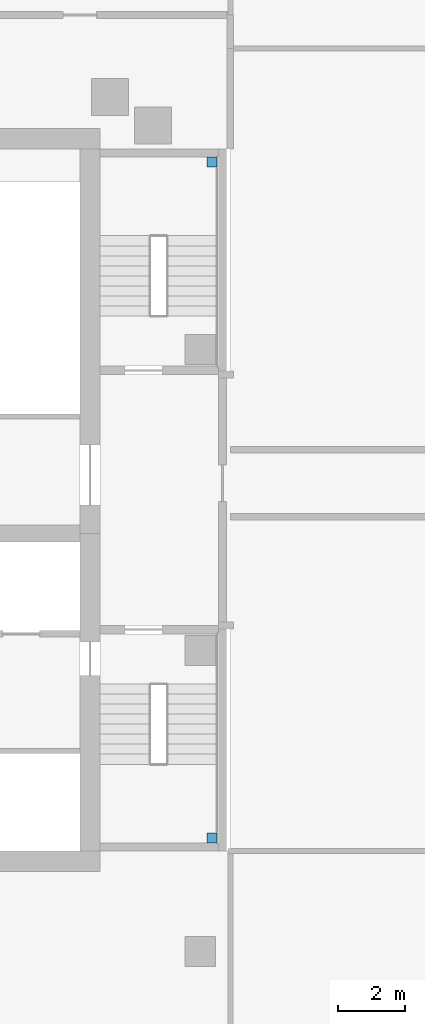
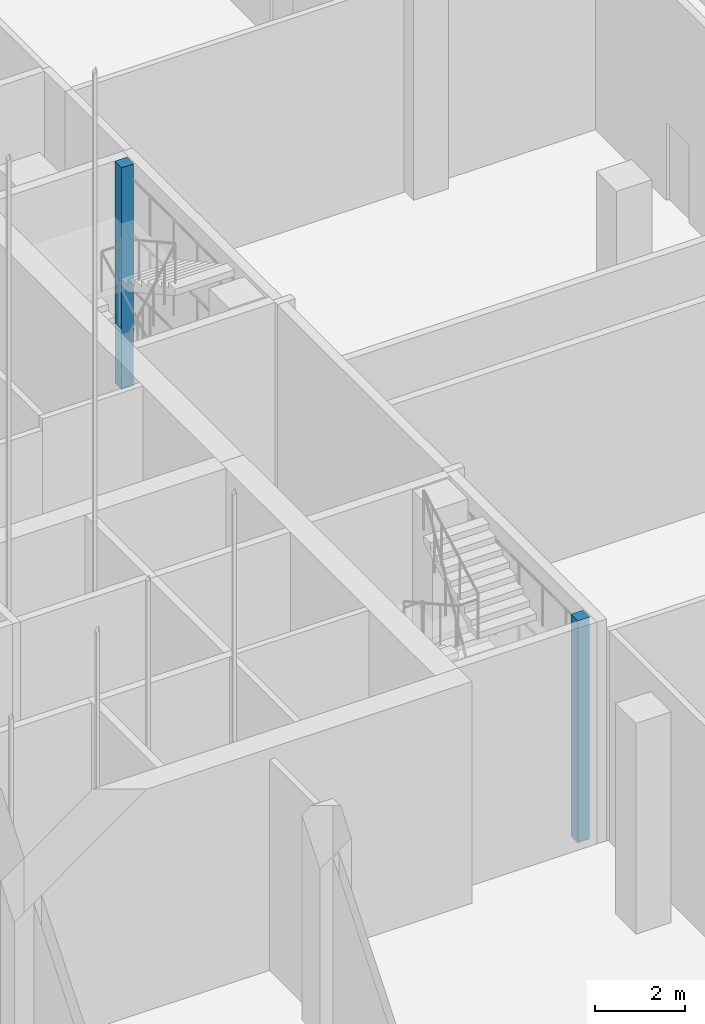
# One storey, part 11 of 55: 2 members.
"""IFC4 building model written with IfcOpenShell, lengths in metres."""

from ifc_helpers import new_model, si_unit, direction, frame, origin, origin_2d, place, context, subcontext, project, spatial, rectangle, extrude, material, material_profile, profile_set, type_object, element, save


model = new_model("IFC4")

# Units and contexts
model_context = context("Model", 3, precision=1e-05, world=origin(), true_north=direction((0.0, 1.0)))
body_context = subcontext(model_context, "Body", "Model", "MODEL_VIEW")
ifc_project = project(units=[si_unit("LENGTHUNIT", "METRE"), si_unit("AREAUNIT", "SQUARE_METRE"), si_unit("VOLUMEUNIT", "CUBIC_METRE"), si_unit("PLANEANGLEUNIT", "RADIAN"), si_unit("MASSUNIT", "GRAM", prefix="KILO")], contexts=[model_context])

# Site, building, storey
site_placement = place(None, origin())
site = spatial("IfcSite", under=ifc_project, at=site_placement, CompositionType="ELEMENT")
building_placement = place(site_placement, origin())
building = spatial("IfcBuilding", under=site, at=building_placement, Name="Cinnabar Reach Civic Tower", CompositionType="ELEMENT")
storey_placement = place(building_placement, origin())
storey = spatial("IfcBuildingStorey", under=building, at=storey_placement, Name="L00", CompositionType="ELEMENT", Elevation=0.0)

# Members
ifc_material = material(Name="Concrete C40", Category="concrete")
ifc_material_profile = material_profile(ifc_material, rectangle(XDim=0.3, YDim=0.3, at=origin_2d()), Name="C300")
ifc_profile_set = profile_set([ifc_material_profile], Name="Concrete C40")
member_type = type_object("IfcMemberType", Name="T2 stair post 300", PredefinedType="STRUT", material=ifc_profile_set)
for number, where, z_axis, x_axis, name in (
    (1, (-27.55, 21.4, 0.0), (0.0, 0.0, 1.0), (1.0, 0.0, 0.0), "Stair post 1"),
    (2, (-27.55, 41.6, 0.0), (0.0, 0.0, 1.0), (1.0, 0.0, 0.0), "Stair post 2"),
):
    element("IfcMember", number, at=place(storey_placement, frame(where, z_axis=z_axis, x_axis=x_axis)), inside=storey, type_object=member_type, Name=name, PredefinedType="STRUT", context=body_context, shape_type="SweptSolid", body=[
        extrude(rectangle(XDim=0.3, YDim=0.3, at=origin_2d()), origin(), (0.0, 0.0, 1.0), 6.0),
    ])

save(model, "model.ifc")
